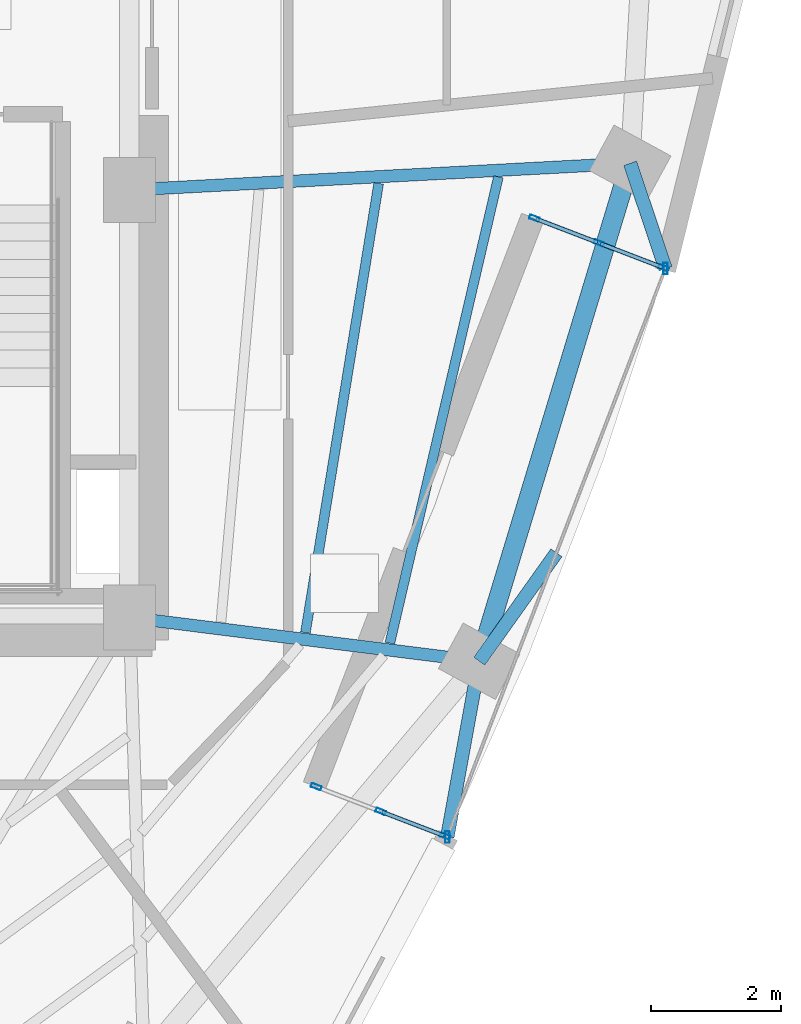
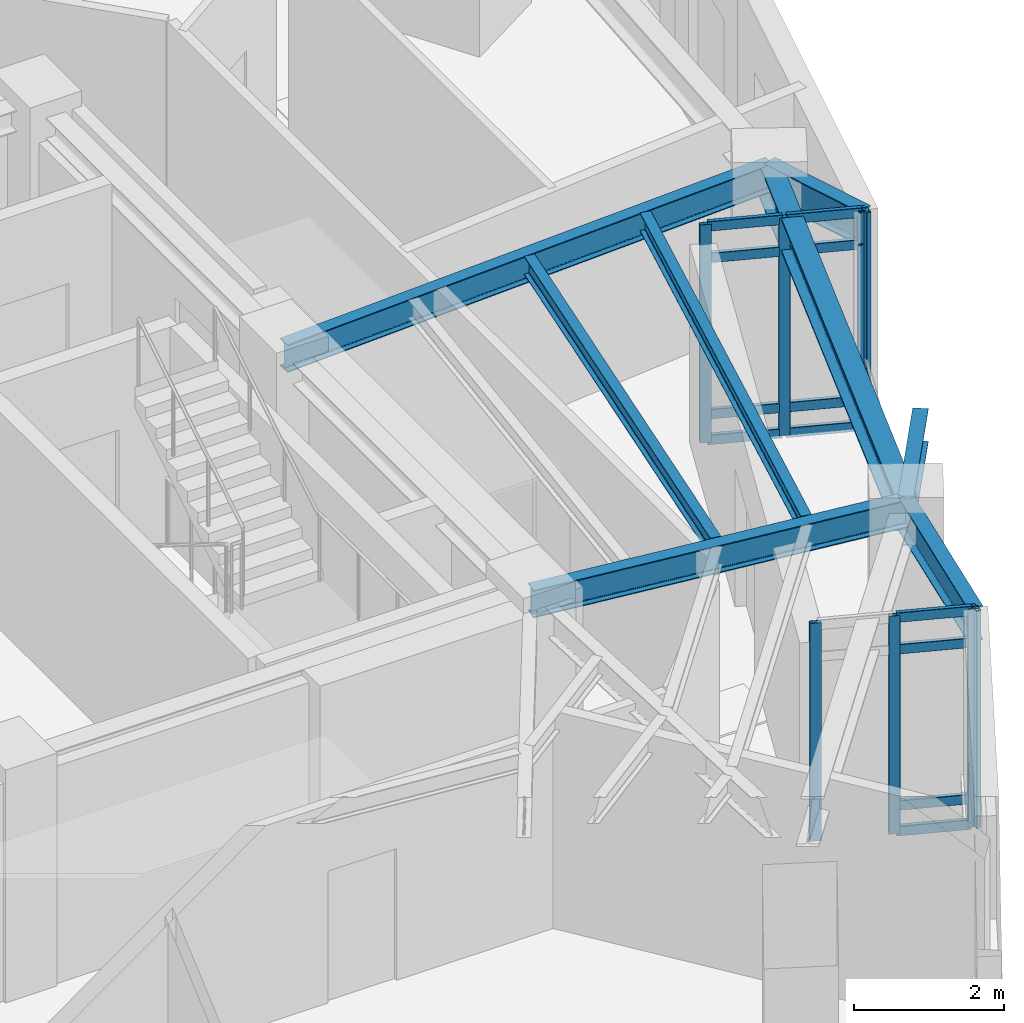
# One storey, part 2 of 10: 20 members, 8 beams, 2 elements without a shape of their own.
"""IFC4 building model written with IfcOpenShell, lengths in metres."""

from ifc_helpers import new_model, si_unit, direction, frame, origin, origin_2d, place, context, subcontext, project, spatial, hollow_rectangle, i_section, extrude, material, layer, layer_set, material_profile, profile_set, type_object, element, aggregate, save


model = new_model("IFC4")

# Units and contexts
model_context = context("Model", 3, precision=1e-05, world=origin(), true_north=direction((0.0, 1.0)))
body_context = subcontext(model_context, "Body", "Model", "MODEL_VIEW")
ifc_project = project(units=[si_unit("LENGTHUNIT", "METRE"), si_unit("AREAUNIT", "SQUARE_METRE"), si_unit("VOLUMEUNIT", "CUBIC_METRE"), si_unit("PLANEANGLEUNIT", "RADIAN"), si_unit("MASSUNIT", "GRAM", prefix="KILO")], contexts=[model_context])

# Site, building, storey
site_placement = place(None, origin())
site = spatial("IfcSite", under=ifc_project, at=site_placement, CompositionType="ELEMENT")
building_placement = place(site_placement, origin())
building = spatial("IfcBuilding", under=site, at=building_placement, Name="Ndelora Gate Hotel", CompositionType="ELEMENT")
storey_placement = place(building_placement, frame((0.0, 0.0, 247.35009765625)))
storey = spatial("IfcBuildingStorey", under=building, at=storey_placement, Name="L62", CompositionType="ELEMENT", Elevation=247.35009765625)

# Beams
ifc_material_1 = material(Name="Steel S355", Category="steel")
ifc_material_profile_1 = material_profile(ifc_material_1, i_section(OverallWidth=0.14990234375, OverallDepth=0.300048828125, WebThickness=0.007080078125, FlangeThickness=0.0107421875, FilletRadius=0.014892578125, at=origin_2d()), Name="IPE 300")
ifc_profile_set_1 = profile_set([ifc_material_profile_1], Name="Steel S355")
beam_type_1 = type_object("IfcBeamType", Name="BM-JST-300", PredefinedType="JOIST", material=ifc_profile_set_1)
beam_1_placement = place(storey_placement, frame((10.717041015625, -6.834228515625, 3.39990234375), z_axis=(0.160939239626, 0.986964316046, 0.0), x_axis=(-0.986964316046, 0.160939239626, 0.0)))
element("IfcBeam", 1, at=beam_1_placement, inside=storey, type_object=beam_type_1, Name="L62 Secondary Composite Floor Joist MID-7", PredefinedType="JOIST", context=body_context, shape_type="SweptSolid", body=[
    extrude(i_section(OverallWidth=0.14990234375, OverallDepth=0.300048828125, WebThickness=0.007080078125, FlangeThickness=0.0107421875, FilletRadius=0.014892578125, at=origin_2d()), origin(), (0.0, 0.0, 1.0), 7.028076171875),
])
beam_2_placement = place(storey_placement, frame((12.02001953125, -6.997802734375, 3.39990234375), z_axis=(0.22674518397, 0.973954116756, 0.0), x_axis=(-0.973954116756, 0.22674518397, 0.0)))
element("IfcBeam", 2, at=beam_2_placement, inside=storey, type_object=beam_type_1, Name="L62 Secondary Composite Floor Joist OUT-7", PredefinedType="JOIST", context=body_context, shape_type="SweptSolid", body=[
    extrude(i_section(OverallWidth=0.14990234375, OverallDepth=0.300048828125, WebThickness=0.007080078125, FlangeThickness=0.0107421875, FilletRadius=0.014892578125, at=origin_2d()), origin(), (0.0, 0.0, 1.0), 7.392822265625),
])
ifc_material_profile_2 = material_profile(ifc_material_1, i_section(OverallWidth=0.18994140625, OverallDepth=0.449951171875, WebThickness=0.009521484375, FlangeThickness=0.0146484375, FilletRadius=0.02099609375, at=origin_2d()), Name="IPE 450")
ifc_profile_set_2 = profile_set([ifc_material_profile_2], Name="Steel S355")
beam_type_2 = type_object("IfcBeamType", Name="BM-RAD-450", PredefinedType="BEAM", material=ifc_profile_set_2)
beam_3_placement = place(storey_placement, frame((8.0, -6.60009765625, 3.324951171875), z_axis=(0.992266830725, -0.124123070552, 0.0), x_axis=(0.124123070552, 0.992266830725, 0.0)))
element("IfcBeam", 3, at=beam_3_placement, inside=storey, type_object=beam_type_2, Name="L62 Radial Floor Girder 7", PredefinedType="BEAM", context=body_context, shape_type="SweptSolid", body=[
    extrude(i_section(OverallWidth=0.18994140625, OverallDepth=0.449951171875, WebThickness=0.009521484375, FlangeThickness=0.0146484375, FilletRadius=0.02099609375, at=origin_2d()), origin(), (0.0, 0.0, 1.0), 5.4423828125),
])
beam_4_placement = place(storey_placement, frame((8.0, 0.0, 3.324951171875), z_axis=(0.998583554121, 0.053206065814, 0.0), x_axis=(-0.053206065814, 0.998583554121, 0.0)))
element("IfcBeam", 4, at=beam_4_placement, inside=storey, type_object=beam_type_2, Name="L62 Radial Floor Girder 8", PredefinedType="BEAM", context=body_context, shape_type="SweptSolid", body=[
    extrude(i_section(OverallWidth=0.18994140625, OverallDepth=0.449951171875, WebThickness=0.009521484375, FlangeThickness=0.0146484375, FilletRadius=0.02099609375, at=origin_2d()), origin(), (0.0, 0.0, 1.0), 7.740966796875),
])
ifc_material_profile_3 = material_profile(ifc_material_1, i_section(OverallWidth=0.2099609375, OverallDepth=0.550048828125, WebThickness=0.010986328125, FlangeThickness=0.01708984375, FilletRadius=0.02392578125, at=origin_2d()), Name="IPE 550")
ifc_profile_set_3 = profile_set([ifc_material_profile_3], Name="Steel S355")
beam_type_3 = type_object("IfcBeamType", Name="BM-RAD-550", PredefinedType="BEAM", material=ifc_profile_set_3)
beam_5_placement = place(storey_placement, frame((13.400390625, -7.275634765625, 3.27490234375), z_axis=(-0.178737417868, -0.983896811385, 0.0), x_axis=(0.983896811385, -0.178737417868, 0.0)))
element("IfcBeam", 5, at=beam_5_placement, inside=storey, type_object=beam_type_3, Name="L62 Sky-Garden Loggia Column Bracket 1", PredefinedType="BEAM", context=body_context, shape_type="SweptSolid", body=[
    extrude(i_section(OverallWidth=0.2099609375, OverallDepth=0.550048828125, WebThickness=0.010986328125, FlangeThickness=0.01708984375, FilletRadius=0.02392578125, at=origin_2d()), origin(), (0.0, 0.0, 1.0), 2.7578125),
])
beam_6_placement = place(storey_placement, frame((13.400390625, -7.275634765625, 3.27490234375), z_axis=(0.579776256686, 0.814775731219, 0.0), x_axis=(-0.814775731219, 0.579776256686, 0.0)))
element("IfcBeam", 6, at=beam_6_placement, inside=storey, type_object=beam_type_3, Name="L62 Sky-Garden Loggia Column Bracket 2", PredefinedType="BEAM", context=body_context, shape_type="SweptSolid", body=[
    extrude(i_section(OverallWidth=0.2099609375, OverallDepth=0.550048828125, WebThickness=0.010986328125, FlangeThickness=0.01708984375, FilletRadius=0.02392578125, at=origin_2d()), origin(), (0.0, 0.0, 1.0), 2.054931640625),
])
beam_7_placement = place(storey_placement, frame((15.72998046875, 0.411865234375, 3.27490234375), z_axis=(0.31853360111, -0.947911570224, 0.0), x_axis=(0.947911570224, 0.31853360111, 0.0)))
element("IfcBeam", 7, at=beam_7_placement, inside=storey, type_object=beam_type_3, Name="L62 Sky-Garden Loggia Column Bracket 3", PredefinedType="BEAM", context=body_context, shape_type="SweptSolid", body=[
    extrude(i_section(OverallWidth=0.2099609375, OverallDepth=0.550048828125, WebThickness=0.010986328125, FlangeThickness=0.01708984375, FilletRadius=0.02392578125, at=origin_2d()), origin(), (0.0, 0.0, 1.0), 1.714599609375),
])
ifc_material_profile_4 = material_profile(ifc_material_1, i_section(OverallWidth=0.300048828125, OverallDepth=0.550048828125, WebThickness=0.014892578125, FlangeThickness=0.029052734375, FilletRadius=0.027099609375, at=origin_2d()), Name="HEB 550")
ifc_profile_set_4 = profile_set([ifc_material_profile_4], Name="Steel S355")
beam_type_4 = type_object("IfcBeamType", Name="BM-RING-550", PredefinedType="SPANDREL", material=ifc_profile_set_4)
beam_8_placement = place(storey_placement, frame((13.400390625, -7.275634765625, 3.27490234375), z_axis=(0.290012456561, 0.957022870698, 0.0), x_axis=(-0.957022870698, 0.290012456561, 0.0)))
element("IfcBeam", 8, at=beam_8_placement, inside=storey, type_object=beam_type_4, Name="L62 Perimeter Spandrel Girder 7", PredefinedType="SPANDREL", context=body_context, shape_type="SweptSolid", body=[
    extrude(i_section(OverallWidth=0.300048828125, OverallDepth=0.550048828125, WebThickness=0.014892578125, FlangeThickness=0.029052734375, FilletRadius=0.027099609375, at=origin_2d()), origin(), (0.0, 0.0, 1.0), 8.03271484375),
])

# Curtain wall, members
ifc_material_2 = material(Name="Bronze Anodised Unitised Aluminium and Low-E Glass", Category="aluminium")
ifc_layer = layer(ifc_material_2, 0.199951171875)
ifc_layer_set = layer_set([ifc_layer], Name="Bronze Anodised Unitised Aluminium and Low-E Glass")
curtain_wall_type = type_object("IfcCurtainWallType", Name="CW-SYS-3", PredefinedType="NOTDEFINED", material=ifc_layer_set)
curtain_wall_1_placement = place(storey_placement, origin())
curtain_wall_1 = element("IfcCurtainWall", 9, at=curtain_wall_1_placement, inside=storey, type_object=curtain_wall_type, Name="L62 Sky-Garden Loggia Side Curtain Wall CW3-1", PredefinedType="NOTDEFINED")
ifc_material_3 = material(Name="Bronze Anodised Aluminium 6063-T6", Category="aluminium")
ifc_material_profile_5 = material_profile(ifc_material_3, hollow_rectangle(XDim=0.06494140625, YDim=0.159912109375, WallThickness=0.00390625, InnerFilletRadius=0.00390625, OuterFilletRadius=0.008056640625, at=origin_2d()), Name="ALU 160x65x4")
ifc_profile_set_5 = profile_set([ifc_material_profile_5], Name="Bronze Anodised Aluminium 6063-T6")
member_type_1 = type_object("IfcMemberType", Name="MB-CW-MUL150", PredefinedType="MULLION", material=ifc_profile_set_5)
member_1_placement = place(storey_placement, frame((10.884033203125, -9.21240234375, -0.004150390625), z_axis=(0.0, 0.0, 1.0), x_axis=(0.35837589096, 0.933577378035, 0.0)))
member_1 = element("IfcMember", 10, at=member_1_placement, type_object=member_type_1, Name="CW3 mullion 1", PredefinedType="MULLION", context=body_context, shape_type="SweptSolid", body=[
    extrude(hollow_rectangle(XDim=0.06494140625, YDim=0.159912109375, WallThickness=0.00390625, InnerFilletRadius=0.00390625, OuterFilletRadius=0.008056640625, at=origin_2d()), origin(), (0.0, 0.0, 1.0), 3.55810546875),
])
member_2_placement = place(storey_placement, frame((11.880615234375, -9.594970703125, -0.004150390625), z_axis=(0.0, 0.0, 1.0), x_axis=(0.35837589096, 0.933577378035, 0.0)))
member_2 = element("IfcMember", 11, at=member_2_placement, type_object=member_type_1, Name="CW3 mullion 2", PredefinedType="MULLION", context=body_context, shape_type="SweptSolid", body=[
    extrude(hollow_rectangle(XDim=0.06494140625, YDim=0.159912109375, WallThickness=0.00390625, InnerFilletRadius=0.00390625, OuterFilletRadius=0.008056640625, at=origin_2d()), origin(), (0.0, 0.0, 1.0), 3.55810546875),
])
member_3_placement = place(storey_placement, frame((12.876953125, -9.9775390625, -0.004150390625), z_axis=(0.0, 0.0, 1.0), x_axis=(0.35837589096, 0.933577378035, 0.0)))
member_3 = element("IfcMember", 12, at=member_3_placement, type_object=member_type_1, Name="CW3 mullion 3", PredefinedType="MULLION", context=body_context, shape_type="SweptSolid", body=[
    extrude(hollow_rectangle(XDim=0.06494140625, YDim=0.159912109375, WallThickness=0.00390625, InnerFilletRadius=0.00390625, OuterFilletRadius=0.008056640625, at=origin_2d()), origin(), (0.0, 0.0, 1.0), 3.55810546875),
])

curtain_wall_2_placement = place(storey_placement, origin())
curtain_wall_2 = element("IfcCurtainWall", 13, at=curtain_wall_2_placement, inside=storey, type_object=curtain_wall_type, Name="L62 Sky-Garden Loggia Side Curtain Wall CW3-2", PredefinedType="NOTDEFINED")
member_4_placement = place(storey_placement, frame((16.245849609375, -1.20166015625, -0.004150390625), z_axis=(0.0, 0.0, 1.0), x_axis=(-0.358360683234, -0.93358321574, 0.0)))
member_4 = element("IfcMember", 14, at=member_4_placement, type_object=member_type_1, Name="CW3 mullion 1", PredefinedType="MULLION", context=body_context, shape_type="SweptSolid", body=[
    extrude(hollow_rectangle(XDim=0.06494140625, YDim=0.159912109375, WallThickness=0.00390625, InnerFilletRadius=0.00390625, OuterFilletRadius=0.008056640625, at=origin_2d()), origin(), (0.0, 0.0, 1.0), 3.55810546875),
])
member_5_placement = place(storey_placement, frame((15.249267578125, -0.819091796875, -0.004150390625), z_axis=(0.0, 0.0, 1.0), x_axis=(-0.358360683234, -0.93358321574, 0.0)))
member_5 = element("IfcMember", 15, at=member_5_placement, type_object=member_type_1, Name="CW3 mullion 2", PredefinedType="MULLION", context=body_context, shape_type="SweptSolid", body=[
    extrude(hollow_rectangle(XDim=0.06494140625, YDim=0.159912109375, WallThickness=0.00390625, InnerFilletRadius=0.00390625, OuterFilletRadius=0.008056640625, at=origin_2d()), origin(), (0.0, 0.0, 1.0), 3.55810546875),
])
member_6_placement = place(storey_placement, frame((14.25244140625, -0.436767578125, -0.004150390625), z_axis=(0.0, 0.0, 1.0), x_axis=(-0.358360683234, -0.93358321574, 0.0)))
member_6 = element("IfcMember", 16, at=member_6_placement, type_object=member_type_1, Name="CW3 mullion 3", PredefinedType="MULLION", context=body_context, shape_type="SweptSolid", body=[
    extrude(hollow_rectangle(XDim=0.06494140625, YDim=0.159912109375, WallThickness=0.00390625, InnerFilletRadius=0.00390625, OuterFilletRadius=0.008056640625, at=origin_2d()), origin(), (0.0, 0.0, 1.0), 3.55810546875),
])

# Member
ifc_material_profile_6 = material_profile(ifc_material_3, hollow_rectangle(XDim=0.070068359375, YDim=0.179931640625, WallThickness=0.0048828125, InnerFilletRadius=0.0048828125, OuterFilletRadius=0.010009765625, at=origin_2d()), Name="ALU 180x70x5")
ifc_profile_set_6 = profile_set([ifc_material_profile_6], Name="Bronze Anodised Aluminium 6063-T6")
member_type_2 = type_object("IfcMemberType", Name="MB-CW-MUL180", PredefinedType="MULLION", material=ifc_profile_set_6)
member_7_placement = place(storey_placement, frame((12.907470703125, -9.989013671875, 0.0), z_axis=(0.0, 0.0, 1.0), x_axis=(1.0, 0.0, 0.0)))
member_7 = element("IfcMember", 17, at=member_7_placement, type_object=member_type_2, Name="L62 Sky-Garden Loggia Corner Mullion Post 1", PredefinedType="MULLION", context=body_context, shape_type="SweptSolid", body=[
    extrude(hollow_rectangle(XDim=0.070068359375, YDim=0.179931640625, WallThickness=0.0048828125, InnerFilletRadius=0.0048828125, OuterFilletRadius=0.010009765625, at=origin_2d()), origin(), (0.0, 0.0, 1.0), 3.5498046875),
])

member_8_placement = place(storey_placement, frame((16.276123046875, -1.21337890625, 0.0), z_axis=(0.0, 0.0, 1.0), x_axis=(1.0, 0.0, 0.0)))
member_8 = element("IfcMember", 18, at=member_8_placement, type_object=member_type_2, Name="L62 Sky-Garden Loggia Corner Mullion Post 2", PredefinedType="MULLION", context=body_context, shape_type="SweptSolid", body=[
    extrude(hollow_rectangle(XDim=0.070068359375, YDim=0.179931640625, WallThickness=0.0048828125, InnerFilletRadius=0.0048828125, OuterFilletRadius=0.010009765625, at=origin_2d()), origin(), (0.0, 0.0, 1.0), 3.5498046875),
])

ifc_material_profile_7 = material_profile(ifc_material_3, hollow_rectangle(XDim=0.06494140625, YDim=0.159912109375, WallThickness=0.00390625, InnerFilletRadius=0.00390625, OuterFilletRadius=0.008056640625, at=origin_2d()), Name="ALU 160x65x4")
ifc_profile_set_7 = profile_set([ifc_material_profile_7], Name="Bronze Anodised Aluminium 6063-T6")
member_type_3 = type_object("IfcMemberType", Name="MB-CW-TRN150", PredefinedType="USERDEFINED", material=ifc_profile_set_7)
member_9_placement = place(storey_placement, frame((11.9052734375, -9.6044921875, 0.032470703125), z_axis=(0.93358111833, -0.358366147253, 0.0), x_axis=(0.358366147253, 0.93358111833, 0.0)))
member_9 = element("IfcMember", 19, at=member_9_placement, type_object=member_type_3, Name="CW3 transom 2.1", ObjectType="TRANSOM", PredefinedType="USERDEFINED", context=body_context, shape_type="SweptSolid", body=[
    extrude(hollow_rectangle(XDim=0.06494140625, YDim=0.159912109375, WallThickness=0.00390625, InnerFilletRadius=0.00390625, OuterFilletRadius=0.008056640625, at=origin_2d()), origin(), (0.0, 0.0, 1.0), 1.014404296875),
])

member_10_placement = place(storey_placement, frame((11.9052734375, -9.6044921875, 0.449951171875), z_axis=(0.93358111833, -0.358366147253, 0.0), x_axis=(0.358366147253, 0.93358111833, 0.0)))
member_10 = element("IfcMember", 20, at=member_10_placement, type_object=member_type_3, Name="CW3 transom 2.2", ObjectType="TRANSOM", PredefinedType="USERDEFINED", context=body_context, shape_type="SweptSolid", body=[
    extrude(hollow_rectangle(XDim=0.06494140625, YDim=0.159912109375, WallThickness=0.00390625, InnerFilletRadius=0.00390625, OuterFilletRadius=0.008056640625, at=origin_2d()), origin(), (0.0, 0.0, 1.0), 1.014404296875),
])

member_11_placement = place(storey_placement, frame((11.9052734375, -9.6044921875, 3.0), z_axis=(0.93358111833, -0.358366147253, 0.0), x_axis=(0.358366147253, 0.93358111833, 0.0)))
member_11 = element("IfcMember", 21, at=member_11_placement, type_object=member_type_3, Name="CW3 transom 2.3", ObjectType="TRANSOM", PredefinedType="USERDEFINED", context=body_context, shape_type="SweptSolid", body=[
    extrude(hollow_rectangle(XDim=0.06494140625, YDim=0.159912109375, WallThickness=0.00390625, InnerFilletRadius=0.00390625, OuterFilletRadius=0.008056640625, at=origin_2d()), origin(), (0.0, 0.0, 1.0), 1.014404296875),
])

member_12_placement = place(storey_placement, frame((11.9052734375, -9.6044921875, 3.517333984375), z_axis=(0.93358111833, -0.358366147253, 0.0), x_axis=(0.358366147253, 0.93358111833, 0.0)))
member_12 = element("IfcMember", 22, at=member_12_placement, type_object=member_type_3, Name="CW3 transom 2.4", ObjectType="TRANSOM", PredefinedType="USERDEFINED", context=body_context, shape_type="SweptSolid", body=[
    extrude(hollow_rectangle(XDim=0.06494140625, YDim=0.159912109375, WallThickness=0.00390625, InnerFilletRadius=0.00390625, OuterFilletRadius=0.008056640625, at=origin_2d()), origin(), (0.0, 0.0, 1.0), 1.014404296875),
])

aggregate(curtain_wall_1, [member_1, member_2, member_3, member_9, member_10, member_11, member_12, member_7])

member_13_placement = place(storey_placement, frame((16.220947265625, -1.192138671875, 0.032470703125), z_axis=(-0.93358111833, 0.358366147253, 0.0), x_axis=(-0.358366147253, -0.93358111833, 0.0)))
member_13 = element("IfcMember", 23, at=member_13_placement, type_object=member_type_3, Name="CW3 transom 1.1", ObjectType="TRANSOM", PredefinedType="USERDEFINED", context=body_context, shape_type="SweptSolid", body=[
    extrude(hollow_rectangle(XDim=0.06494140625, YDim=0.159912109375, WallThickness=0.00390625, InnerFilletRadius=0.00390625, OuterFilletRadius=0.008056640625, at=origin_2d()), origin(), (0.0, 0.0, 1.0), 1.014404296875),
])

member_14_placement = place(storey_placement, frame((16.220947265625, -1.192138671875, 0.449951171875), z_axis=(-0.93358111833, 0.358366147253, 0.0), x_axis=(-0.358366147253, -0.93358111833, 0.0)))
member_14 = element("IfcMember", 24, at=member_14_placement, type_object=member_type_3, Name="CW3 transom 1.2", ObjectType="TRANSOM", PredefinedType="USERDEFINED", context=body_context, shape_type="SweptSolid", body=[
    extrude(hollow_rectangle(XDim=0.06494140625, YDim=0.159912109375, WallThickness=0.00390625, InnerFilletRadius=0.00390625, OuterFilletRadius=0.008056640625, at=origin_2d()), origin(), (0.0, 0.0, 1.0), 1.014404296875),
])

member_15_placement = place(storey_placement, frame((16.220947265625, -1.192138671875, 3.0), z_axis=(-0.93358111833, 0.358366147253, 0.0), x_axis=(-0.358366147253, -0.93358111833, 0.0)))
member_15 = element("IfcMember", 25, at=member_15_placement, type_object=member_type_3, Name="CW3 transom 1.3", ObjectType="TRANSOM", PredefinedType="USERDEFINED", context=body_context, shape_type="SweptSolid", body=[
    extrude(hollow_rectangle(XDim=0.06494140625, YDim=0.159912109375, WallThickness=0.00390625, InnerFilletRadius=0.00390625, OuterFilletRadius=0.008056640625, at=origin_2d()), origin(), (0.0, 0.0, 1.0), 1.014404296875),
])

member_16_placement = place(storey_placement, frame((16.220947265625, -1.192138671875, 3.517333984375), z_axis=(-0.93358111833, 0.358366147253, 0.0), x_axis=(-0.358366147253, -0.93358111833, 0.0)))
member_16 = element("IfcMember", 26, at=member_16_placement, type_object=member_type_3, Name="CW3 transom 1.4", ObjectType="TRANSOM", PredefinedType="USERDEFINED", context=body_context, shape_type="SweptSolid", body=[
    extrude(hollow_rectangle(XDim=0.06494140625, YDim=0.159912109375, WallThickness=0.00390625, InnerFilletRadius=0.00390625, OuterFilletRadius=0.008056640625, at=origin_2d()), origin(), (0.0, 0.0, 1.0), 1.014404296875),
])

member_17_placement = place(storey_placement, frame((15.224365234375, -0.809814453125, 0.032470703125), z_axis=(-0.933500580315, 0.358575886741, 0.0), x_axis=(-0.358575886741, -0.933500580315, 0.0)))
member_17 = element("IfcMember", 27, at=member_17_placement, type_object=member_type_3, Name="CW3 transom 2.1", ObjectType="TRANSOM", PredefinedType="USERDEFINED", context=body_context, shape_type="SweptSolid", body=[
    extrude(hollow_rectangle(XDim=0.06494140625, YDim=0.159912109375, WallThickness=0.00390625, InnerFilletRadius=0.00390625, OuterFilletRadius=0.008056640625, at=origin_2d()), origin(), (0.0, 0.0, 1.0), 1.014404296875),
])

member_18_placement = place(storey_placement, frame((15.224365234375, -0.809814453125, 0.449951171875), z_axis=(-0.933500580315, 0.358575886741, 0.0), x_axis=(-0.358575886741, -0.933500580315, 0.0)))
member_18 = element("IfcMember", 28, at=member_18_placement, type_object=member_type_3, Name="CW3 transom 2.2", ObjectType="TRANSOM", PredefinedType="USERDEFINED", context=body_context, shape_type="SweptSolid", body=[
    extrude(hollow_rectangle(XDim=0.06494140625, YDim=0.159912109375, WallThickness=0.00390625, InnerFilletRadius=0.00390625, OuterFilletRadius=0.008056640625, at=origin_2d()), origin(), (0.0, 0.0, 1.0), 1.014404296875),
])

member_19_placement = place(storey_placement, frame((15.224365234375, -0.809814453125, 3.0), z_axis=(-0.933500580315, 0.358575886741, 0.0), x_axis=(-0.358575886741, -0.933500580315, 0.0)))
member_19 = element("IfcMember", 29, at=member_19_placement, type_object=member_type_3, Name="CW3 transom 2.3", ObjectType="TRANSOM", PredefinedType="USERDEFINED", context=body_context, shape_type="SweptSolid", body=[
    extrude(hollow_rectangle(XDim=0.06494140625, YDim=0.159912109375, WallThickness=0.00390625, InnerFilletRadius=0.00390625, OuterFilletRadius=0.008056640625, at=origin_2d()), origin(), (0.0, 0.0, 1.0), 1.014404296875),
])

member_20_placement = place(storey_placement, frame((15.224365234375, -0.809814453125, 3.517333984375), z_axis=(-0.933500580315, 0.358575886741, 0.0), x_axis=(-0.358575886741, -0.933500580315, 0.0)))
member_20 = element("IfcMember", 30, at=member_20_placement, type_object=member_type_3, Name="CW3 transom 2.4", ObjectType="TRANSOM", PredefinedType="USERDEFINED", context=body_context, shape_type="SweptSolid", body=[
    extrude(hollow_rectangle(XDim=0.06494140625, YDim=0.159912109375, WallThickness=0.00390625, InnerFilletRadius=0.00390625, OuterFilletRadius=0.008056640625, at=origin_2d()), origin(), (0.0, 0.0, 1.0), 1.014404296875),
])

aggregate(curtain_wall_2, [member_4, member_5, member_6, member_13, member_14, member_15, member_16, member_17, member_18, member_19, member_20, member_8])

save(model, "model.ifc")
